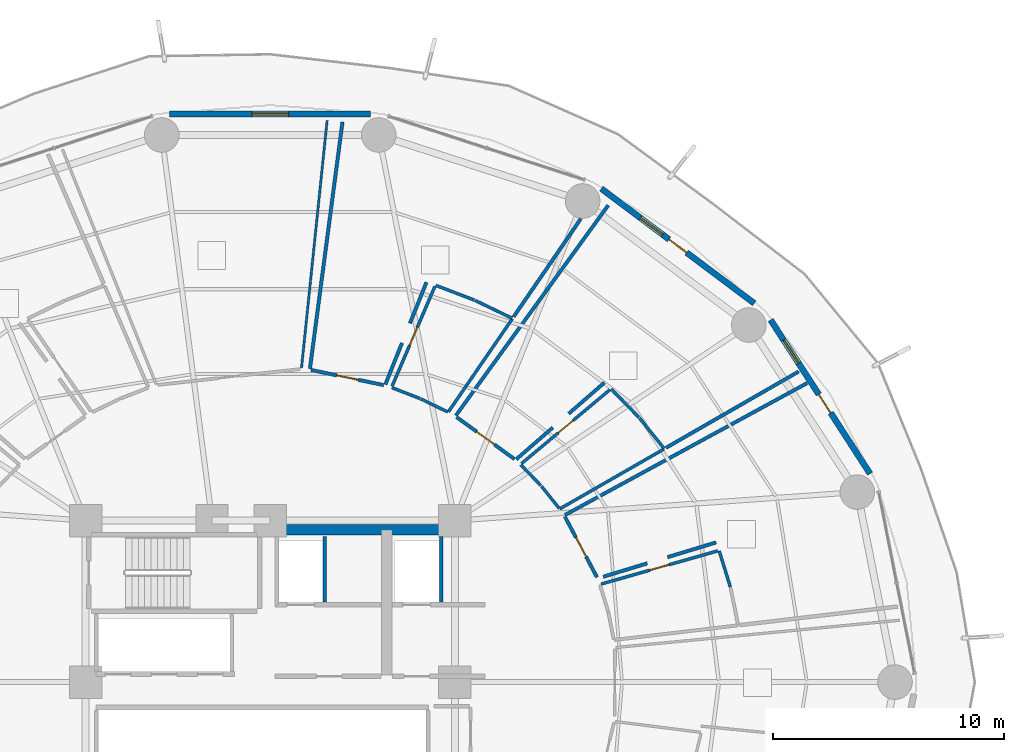
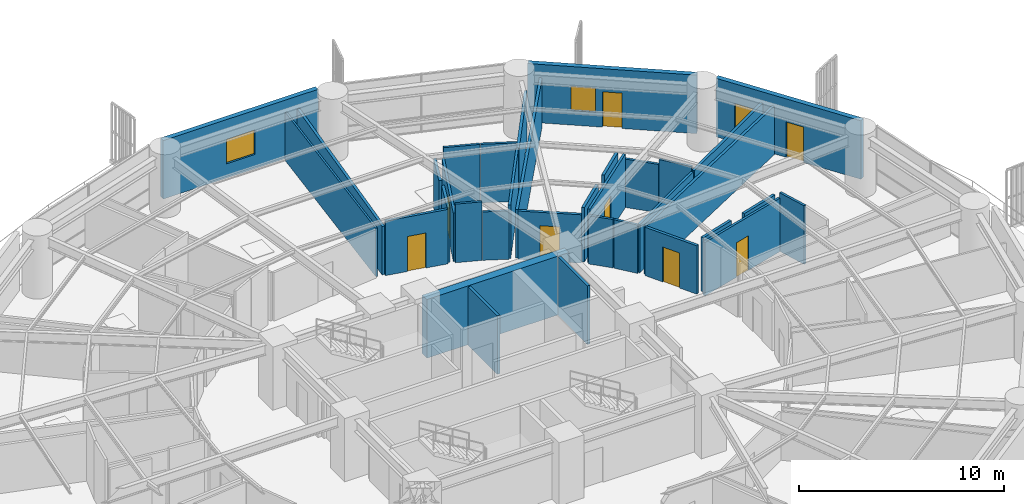
# One storey, part 26 of 32: 35 walls, 8 doors, 3 windows, 11 openings.
"""IFC4 building model written with IfcOpenShell, lengths in metres."""

from ifc_helpers import new_model, si_unit, direction, frame, frame_2d, origin, place, context, subcontext, project, spatial, rectangle, extrude, material, layer, layer_set, type_object, element, fill, save


model = new_model("IFC4")

# Units and contexts
model_context = context("Model", 3, precision=1e-05, world=origin(), true_north=direction((0.0, 1.0)))
body_context = subcontext(model_context, "Body", "Model", "MODEL_VIEW")
ifc_project = project(units=[si_unit("LENGTHUNIT", "METRE"), si_unit("AREAUNIT", "SQUARE_METRE"), si_unit("VOLUMEUNIT", "CUBIC_METRE"), si_unit("PLANEANGLEUNIT", "RADIAN"), si_unit("MASSUNIT", "GRAM", prefix="KILO")], contexts=[model_context])

# Site, building, storey
site_placement = place(None, origin())
site = spatial("IfcSite", under=ifc_project, at=site_placement, CompositionType="ELEMENT")
building_placement = place(site_placement, origin())
building = spatial("IfcBuilding", under=site, at=building_placement, Name="Kelanora Arch Commons", CompositionType="ELEMENT")
storey_placement = place(building_placement, frame((0.0, 0.0, 52.5)))
storey = spatial("IfcBuildingStorey", under=building, at=storey_placement, Name="L13", CompositionType="ELEMENT", Elevation=52.5)

# Walls
ifc_material_1 = material(Name="Autoclaved aerated concrete blockwork with fire plaster", Category="masonry")
ifc_layer_1 = layer(ifc_material_1, 0.14990234375)
ifc_layer_set_1 = layer_set([ifc_layer_1], Name="Autoclaved aerated concrete blockwork with fire plaster")
wall_type_1 = type_object("IfcWallType", Name="W-COMP-150", PredefinedType="PARTITIONING", material=ifc_layer_set_1)
for number, where, z_axis, x_axis, name in (
    (1, (76.360107421875, 61.47998046875, 0.0), (0.0, 0.0, 1.0), (0.0, 1.0, 0.0), "Firefighting Lift 1 East Shaft Wall L13"),
    (2, (81.419921875, 61.47998046875, 0.0), (0.0, 0.0, 1.0), (0.0, 1.0, 0.0), "Firefighting Lift 2 East Shaft Wall L13"),
):
    element("IfcWall", number, at=place(storey_placement, frame(where, z_axis=z_axis, x_axis=x_axis)), inside=storey, type_object=wall_type_1, Name=name, PredefinedType="PARTITIONING", context=body_context, shape_type="SweptSolid", body=[
        extrude(rectangle(XDim=2.840087890625, YDim=0.14990234375, at=frame_2d((1.419921875, 0.0))), origin(), (0.0, 0.0, 1.0), 3.47998046875),
    ])

# Wall, opening, door
wall_1_placement = place(storey_placement, frame((88.161865234375, 62.5458984375, 0.0), z_axis=(0.0, 0.0, 1.0), x_axis=(-0.467566881753, 0.883957697567, 0.0)))
wall_1 = element("IfcWall", 3, at=wall_1_placement, inside=storey, type_object=wall_type_1, Name="Co-Living Studio L13-01 Entry Partition", PredefinedType="PARTITIONING", context=body_context, shape_type="SweptSolid", body=[
    extrude(rectangle(XDim=2.97216796875, YDim=0.14990234375, at=frame_2d((1.486083984375, 0.0))), origin(), (0.0, 0.0, 1.0), 2.875),
])
opening_1_placement = place(wall_1_placement, frame((1.010986328125, 0.0, 0.0)))
opening_1 = element("IfcOpeningElement", 4, at=opening_1_placement, cuts=wall_1, Name="Opening D-CLU1", PredefinedType="OPENING", context=body_context, shape_type="SweptSolid", body=[
    extrude(rectangle(XDim=0.949951171875, YDim=2.080078125, at=frame_2d((0.47509765625, 1.0400390625))), frame((0.0, 0.0849609375, 0.0), z_axis=(0.0, -1.0, 0.0), x_axis=(1.0, 0.0, 0.0)), (0.0, 0.0, 1.0), 0.169921875),
])
ifc_material_2 = material(Name="Solid-core acoustic timber cluster entry fire door", Category="wood")
door_type_1 = type_object("IfcDoorType", Name="D-CLU-95", OperationType="NOTDEFINED", PredefinedType="DOOR", material=ifc_material_2)
door_1_placement = place(opening_1_placement, origin())
door_1 = element("IfcDoor", 5, at=door_1_placement, inside=storey, type_object=door_type_1, Name="Co-Living Studio L13-01 Door", OperationType="SINGLE_SWING_LEFT", OverallHeight=2.080078125, OverallWidth=0.949951171875, PredefinedType="DOOR", context=body_context, shape_type="SweptSolid", body=[
    extrude(rectangle(XDim=0.949951171875, YDim=2.080078125, at=frame_2d((0.47509765625, 1.0400390625))), frame((0.0, 0.02490234375, 0.0), z_axis=(0.0, -1.0, 0.0), x_axis=(1.0, 0.0, 0.0)), (0.0, 0.0, 1.0), 0.050048828125),
])
fill(opening_1, door_1)

wall_2_placement = place(storey_placement, frame((84.58642578125, 67.667236328125, 0.0), z_axis=(0.0, 0.0, 1.0), x_axis=(-0.80951419377, 0.587100306664, 0.0)))
wall_2 = element("IfcWall", 6, at=wall_2_placement, inside=storey, type_object=wall_type_1, Name="Co-Living Studio L13-02 Entry Partition", PredefinedType="PARTITIONING", context=body_context, shape_type="SweptSolid", body=[
    extrude(rectangle(XDim=3.104248046875, YDim=0.14990234375, at=frame_2d((1.55224609375, 0.0))), origin(), (0.0, 0.0, 1.0), 2.875),
])
opening_2_placement = place(wall_2_placement, frame((1.076904296875, 0.0, 0.0)))
opening_2 = element("IfcOpeningElement", 7, at=opening_2_placement, cuts=wall_2, Name="Opening D-CLU1", PredefinedType="OPENING", context=body_context, shape_type="SweptSolid", body=[
    extrude(rectangle(XDim=0.949951171875, YDim=2.080078125, at=frame_2d((0.47509765625, 1.0400390625))), frame((0.0, 0.0849609375, 0.0), z_axis=(0.0, -1.0, 0.0), x_axis=(1.0, 0.0, 0.0)), (0.0, 0.0, 1.0), 0.169921875),
])
door_2_placement = place(opening_2_placement, origin())
door_2 = element("IfcDoor", 8, at=door_2_placement, inside=storey, type_object=door_type_1, Name="Co-Living Studio L13-02 Door", OperationType="SINGLE_SWING_LEFT", OverallHeight=2.080078125, OverallWidth=0.949951171875, PredefinedType="DOOR", context=body_context, shape_type="SweptSolid", body=[
    extrude(rectangle(XDim=0.949951171875, YDim=2.080078125, at=frame_2d((0.47509765625, 1.0400390625))), frame((0.0, 0.02490234375, 0.0), z_axis=(0.0, -1.0, 0.0), x_axis=(1.0, 0.0, 0.0)), (0.0, 0.0, 1.0), 0.050048828125),
])
fill(opening_2, door_2)

wall_3_placement = place(storey_placement, frame((78.914306640625, 70.874267578125, 0.0), z_axis=(0.0, 0.0, 1.0), x_axis=(-0.978952544969, 0.204088007237, 0.0)))
wall_3 = element("IfcWall", 9, at=wall_3_placement, inside=storey, type_object=wall_type_1, Name="Co-Living Studio L13-03 Entry Partition", PredefinedType="PARTITIONING", context=body_context, shape_type="SweptSolid", body=[
    extrude(rectangle(XDim=3.20703125, YDim=0.14990234375, at=frame_2d((1.603515625, 0.0))), origin(), (0.0, 0.0, 1.0), 3.235107421875),
])
opening_3_placement = place(wall_3_placement, frame((1.12890625, 0.0, 0.0)))
opening_3 = element("IfcOpeningElement", 10, at=opening_3_placement, cuts=wall_3, Name="Opening D-CLU1", PredefinedType="OPENING", context=body_context, shape_type="SweptSolid", body=[
    extrude(rectangle(XDim=0.949951171875, YDim=2.080078125, at=frame_2d((0.47509765625, 1.0400390625))), frame((0.0, 0.0849609375, 0.0), z_axis=(0.0, -1.0, 0.0), x_axis=(1.0, 0.0, 0.0)), (0.0, 0.0, 1.0), 0.169921875),
])
door_3_placement = place(opening_3_placement, origin())
door_3 = element("IfcDoor", 11, at=door_3_placement, inside=storey, type_object=door_type_1, Name="Co-Living Studio L13-03 Door", OperationType="SINGLE_SWING_LEFT", OverallHeight=2.080078125, OverallWidth=0.949951171875, PredefinedType="DOOR", context=body_context, shape_type="SweptSolid", body=[
    extrude(rectangle(XDim=0.949951171875, YDim=2.080078125, at=frame_2d((0.47509765625, 1.0400390625))), frame((0.0, 0.02490234375, 0.0), z_axis=(0.0, -1.0, 0.0), x_axis=(1.0, 0.0, 0.0)), (0.0, 0.0, 1.0), 0.050048828125),
])
fill(opening_3, door_3)

# Walls
wall_4_placement = place(storey_placement, frame((86.779052734375, 65.2451171875, 0.0), z_axis=(0.0, 0.0, 1.0), x_axis=(0.878114235828, 0.478451030761, 0.0)))
element("IfcWall", 12, at=wall_4_placement, inside=storey, type_object=wall_type_1, Name="Co-Living Studio L13-01 Enclosure Partition 2", PredefinedType="PARTITIONING", context=body_context, shape_type="SweptSolid", body=[
    extrude(rectangle(XDim=11.9423828125, YDim=0.14990234375, at=frame_2d((5.97119140625, 0.0))), origin(), (0.0, 0.0, 1.0), 2.875),
])
wall_5_placement = place(storey_placement, frame((93.32373046875, 64.055419921875, 0.0), z_axis=(0.0, 0.0, 1.0), x_axis=(-0.956656385618, -0.291219092533, 0.0)))
element("IfcWall", 13, at=wall_5_placement, inside=storey, type_object=wall_type_1, Name="Co-Living Studio L13-01 Enclosure Partition 7", PredefinedType="PARTITIONING", context=body_context, shape_type="SweptSolid", body=[
    extrude(rectangle(XDim=2.197265625, YDim=0.14990234375, at=frame_2d((1.0986328125, 0.0))), origin(), (0.0, 0.0, 1.0), 3.175048828125),
])
wall_6_placement = place(storey_placement, frame((90.34130859375, 63.147705078125, 0.0), z_axis=(0.0, 0.0, 1.0), x_axis=(-0.956672396934, -0.291166490078, 0.0)))
element("IfcWall", 14, at=wall_6_placement, inside=storey, type_object=wall_type_1, Name="Co-Living Studio L13-01 Enclosure Partition 7", PredefinedType="PARTITIONING", context=body_context, shape_type="SweptSolid", body=[
    extrude(rectangle(XDim=1.9931640625, YDim=0.14990234375, at=frame_2d((0.99658203125, 0.0))), origin(), (0.0, 0.0, 1.0), 3.235107421875),
])
wall_7_placement = place(storey_placement, frame((82.048583984375, 69.557373046875, 0.0), z_axis=(0.0, 0.0, 1.0), x_axis=(0.586718941426, 0.809790641939, 0.0)))
element("IfcWall", 15, at=wall_7_placement, inside=storey, type_object=wall_type_1, Name="Co-Living Studio L13-02 Enclosure Partition 2", PredefinedType="PARTITIONING", context=body_context, shape_type="SweptSolid", body=[
    extrude(rectangle(XDim=11.248779296875, YDim=0.14990234375, at=frame_2d((5.62451171875, 0.0))), origin(), (0.0, 0.0, 1.0), 2.875),
])
wall_8_placement = place(storey_placement, frame((96.9033203125, 71.461181640625, 0.0), z_axis=(0.0, 0.0, 1.0), x_axis=(-0.866924194656, -0.498440007142, 0.0)))
element("IfcWall", 16, at=wall_8_placement, inside=storey, type_object=wall_type_1, Name="Co-Living Studio L13-02 Enclosure Partition 5", PredefinedType="PARTITIONING", context=body_context, shape_type="SweptSolid", body=[
    extrude(rectangle(XDim=6.633544921875, YDim=0.14990234375, at=frame_2d((3.31689453125, 0.0))), origin(), (0.0, 0.0, 1.0), 2.875),
])
wall_9_placement = place(storey_placement, frame((88.480712890625, 70.978759765625, 0.0), z_axis=(0.0, 0.0, 1.0), x_axis=(-0.754356172394, -0.656465357176, 0.0)))
element("IfcWall", 17, at=wall_9_placement, inside=storey, type_object=wall_type_1, Name="Co-Living Studio L13-02 Enclosure Partition 7", PredefinedType="PARTITIONING", context=body_context, shape_type="SweptSolid", body=[
    extrude(rectangle(XDim=2.045166015625, YDim=0.14990234375, at=frame_2d((1.0224609375, 0.0))), origin(), (0.0, 0.0, 1.0), 3.175048828125),
])
wall_10_placement = place(storey_placement, frame((86.243896484375, 69.031982421875, 0.0), z_axis=(0.0, 0.0, 1.0), x_axis=(-0.754351792987, -0.656470389597, 0.0)))
element("IfcWall", 18, at=wall_10_placement, inside=storey, type_object=wall_type_1, Name="Co-Living Studio L13-02 Enclosure Partition 7", PredefinedType="PARTITIONING", context=body_context, shape_type="SweptSolid", body=[
    extrude(rectangle(XDim=2.0927734375, YDim=0.14990234375, at=frame_2d((1.04638671875, 0.0))), origin(), (0.0, 0.0, 1.0), 3.235107421875),
])
wall_11_placement = place(storey_placement, frame((75.72119140625, 71.580810546875, 0.0), z_axis=(0.0, 0.0, 1.0), x_axis=(0.130800348515, 0.991408729449, 0.0)))
element("IfcWall", 19, at=wall_11_placement, inside=storey, type_object=wall_type_1, Name="Co-Living Studio L13-03 Enclosure Partition 2", PredefinedType="PARTITIONING", context=body_context, shape_type="SweptSolid", body=[
    extrude(rectangle(XDim=10.792236328125, YDim=0.14990234375, at=frame_2d((5.39599609375, 0.0))), origin(), (0.0, 0.0, 1.0), 2.875),
])
wall_12_placement = place(storey_placement, frame((87.462646484375, 78.082763671875, 0.0), z_axis=(0.0, 0.0, 1.0), x_axis=(-0.565642433627, -0.824650615279, 0.0)))
element("IfcWall", 20, at=wall_12_placement, inside=storey, type_object=wall_type_1, Name="Co-Living Studio L13-03 Enclosure Partition 5", PredefinedType="PARTITIONING", context=body_context, shape_type="SweptSolid", body=[
    extrude(rectangle(XDim=5.156982421875, YDim=0.14990234375, at=frame_2d((2.57861328125, 0.0))), origin(), (0.0, 0.0, 1.0), 2.875),
])
wall_13_placement = place(storey_placement, frame((80.77099609375, 75.329833984375, 0.0), z_axis=(0.0, 0.0, 1.0), x_axis=(-0.373257508911, -0.927727779061, 0.0)))
element("IfcWall", 21, at=wall_13_placement, inside=storey, type_object=wall_type_1, Name="Co-Living Studio L13-03 Enclosure Partition 7", PredefinedType="PARTITIONING", context=body_context, shape_type="SweptSolid", body=[
    extrude(rectangle(XDim=1.915771484375, YDim=0.14990234375, at=frame_2d((0.9580078125, 0.0))), origin(), (0.0, 0.0, 1.0), 2.875),
])
wall_14_placement = place(storey_placement, frame((79.712158203125, 72.69873046875, 0.0), z_axis=(0.0, 0.0, 1.0), x_axis=(-0.373407797427, -0.927667298562, 0.0)))
element("IfcWall", 22, at=wall_14_placement, inside=storey, type_object=wall_type_1, Name="Co-Living Studio L13-03 Enclosure Partition 7", PredefinedType="PARTITIONING", context=body_context, shape_type="SweptSolid", body=[
    extrude(rectangle(XDim=1.93994140625, YDim=0.14990234375, at=frame_2d((0.969970703125, 0.0))), origin(), (0.0, 0.0, 1.0), 3.235107421875),
])
ifc_material_3 = material(Name="Concrete C60/75", Category="concrete")
ifc_layer_2 = layer(ifc_material_3, 0.449951171875)
ifc_layer_set_2 = layer_set([ifc_layer_2], Name="Concrete C60/75")
wall_type_2 = type_object("IfcWallType", Name="W-CORE-450", PredefinedType="SHEAR", material=ifc_layer_set_2)
wall_15_placement = place(storey_placement, frame((74.0, 64.60009765625, 0.0), z_axis=(0.0, 0.0, 1.0), x_axis=(1.0, 0.0, 0.0)))
element("IfcWall", 23, at=wall_15_placement, inside=storey, type_object=wall_type_2, Name="Core Shear Spine L13-CN-E", PredefinedType="SHEAR", context=body_context, shape_type="SweptSolid", body=[
    extrude(rectangle(XDim=8.0, YDim=0.449951171875, at=frame_2d((4.0, 0.0))), origin(), (0.0, 0.0, 1.0), 3.489990234375),
])

# Wall, openings, door, window
ifc_material_4 = material(Name="Precast concrete C40/50 with terracotta rainscreen", Category="masonry")
ifc_layer_3 = layer(ifc_material_4, 0.260009765625)
ifc_layer_set_3 = layer_set([ifc_layer_3], Name="Precast concrete C40/50 with terracotta rainscreen")
wall_type_3 = type_object("IfcWallType", Name="W-EXT-TC", PredefinedType="SOLIDWALL", material=ifc_layer_set_3)
wall_16_placement = place(storey_placement, frame((99.999267578125, 67.033203125, 0.0), z_axis=(0.0, 0.0, 1.0), x_axis=(-0.543005114258, 0.839729388488, 0.0)))
wall_16 = element("IfcWall", 24, at=wall_16_placement, inside=storey, type_object=wall_type_3, Name="Terracotta Exterior Wall L13-B01", PredefinedType="SOLIDWALL", context=body_context, shape_type="SweptSolid", body=[
    extrude(rectangle(XDim=7.9375, YDim=0.260009765625, at=frame_2d((3.96875, 0.0))), origin(), (0.0, 0.0, 1.0), 3.47509765625),
])
opening_4_placement = place(wall_16_placement, frame((3.14404296875, 0.0, 0.0)))
opening_4 = element("IfcOpeningElement", 25, at=opening_4_placement, cuts=wall_16, Name="Opening DB-01", PredefinedType="OPENING", context=body_context, shape_type="SweptSolid", body=[
    extrude(rectangle(XDim=0.949951171875, YDim=2.10009765625, at=frame_2d((0.47509765625, 1.050048828125))), frame((0.0, 0.14013671875, 0.0), z_axis=(0.0, -1.0, 0.0), x_axis=(1.0, 0.0, 0.0)), (0.0, 0.0, 1.0), 0.280029296875),
])
opening_5_placement = place(wall_16_placement, frame((5.7041015625, 0.0, 0.85009765625)))
opening_5 = element("IfcOpeningElement", 26, at=opening_5_placement, cuts=wall_16, Name="Opening WN-02", PredefinedType="OPENING", context=body_context, shape_type="SweptSolid", body=[
    extrude(rectangle(XDim=1.199951171875, YDim=1.449951171875, at=frame_2d((0.60009765625, 0.72509765625))), frame((0.0, 0.14013671875, 0.0), z_axis=(0.0, -1.0, 0.0), x_axis=(1.0, 0.0, 0.0)), (0.0, 0.0, 1.0), 0.280029296875),
])
ifc_material_5 = material(Name="Terracotta-aluminium thermally broken glazed balcony door", Category="masonry")
door_type_2 = type_object("IfcDoorType", Name="D-BAL-10", OperationType="NOTDEFINED", PredefinedType="DOOR", material=ifc_material_5)
door_4_placement = place(opening_4_placement, frame((0.949951171875, 0.0, 0.0), z_axis=(0.0, 0.0, 1.0), x_axis=(-1.0, 0.0, 0.0)))
door_4 = element("IfcDoor", 27, at=door_4_placement, inside=storey, type_object=door_type_2, Name="Wave Balcony Door L13-B01", OperationType="SINGLE_SWING_LEFT", OverallHeight=2.10009765625, OverallWidth=0.949951171875, PredefinedType="DOOR", context=body_context, shape_type="SweptSolid", body=[
    extrude(rectangle(XDim=0.949951171875, YDim=2.10009765625, at=frame_2d((0.47509765625, 1.050048828125))), frame((0.0, 0.02490234375, 0.0), z_axis=(0.0, -1.0, 0.0), x_axis=(1.0, 0.0, 0.0)), (0.0, 0.0, 1.0), 0.050048828125),
])
fill(opening_4, door_4)
ifc_material_6 = material(Name="Terracotta-anodised aluminium frame with operable awning sash", Category="masonry")
window_type_1 = type_object("IfcWindowType", Name="WIN-CL-12", PartitioningType="SINGLE_PANEL", PredefinedType="WINDOW", material=ifc_material_6)
window_1_placement = place(opening_5_placement, origin())
window_1 = element("IfcWindow", 28, at=window_1_placement, inside=storey, type_object=window_type_1, Name="Co-Living Operable Window L13-B01", OverallHeight=1.449951171875, OverallWidth=1.199951171875, PartitioningType="SINGLE_PANEL", PredefinedType="WINDOW", context=body_context, shape_type="SweptSolid", body=[
    extrude(rectangle(XDim=1.199951171875, YDim=1.449951171875, at=frame_2d((0.60009765625, 0.72509765625))), frame((0.0, 0.030029296875, 0.0), z_axis=(0.0, -1.0, 0.0), x_axis=(1.0, 0.0, 0.0)), (0.0, 0.0, 1.0), 0.06005859375),
])
fill(opening_5, window_1)

wall_17_placement = place(storey_placement, frame((94.98388671875, 74.418212890625, 0.0), z_axis=(0.0, 0.0, 1.0), x_axis=(-0.80030733173, 0.599590005569, 0.0)))
wall_17 = element("IfcWall", 29, at=wall_17_placement, inside=storey, type_object=wall_type_3, Name="Terracotta Exterior Wall L13-B02", PredefinedType="SOLIDWALL", context=body_context, shape_type="SweptSolid", body=[
    extrude(rectangle(XDim=8.29052734375, YDim=0.260009765625, at=frame_2d((4.145263671875, 0.0))), origin(), (0.0, 0.0, 1.0), 3.47509765625),
])
opening_6_placement = place(wall_17_placement, frame((3.669921875, 0.0, 0.0)))
opening_6 = element("IfcOpeningElement", 30, at=opening_6_placement, cuts=wall_17, Name="Opening DB-01", PredefinedType="OPENING", context=body_context, shape_type="SweptSolid", body=[
    extrude(rectangle(XDim=0.949951171875, YDim=2.10009765625, at=frame_2d((0.47509765625, 1.050048828125))), frame((0.0, 0.14013671875, 0.0), z_axis=(0.0, -1.0, 0.0), x_axis=(1.0, 0.0, 0.0)), (0.0, 0.0, 1.0), 0.280029296875),
])
opening_7_placement = place(wall_17_placement, frame((4.969970703125, 0.0, 0.85009765625)))
opening_7 = element("IfcOpeningElement", 31, at=opening_7_placement, cuts=wall_17, Name="Opening WN-02", PredefinedType="OPENING", context=body_context, shape_type="SweptSolid", body=[
    extrude(rectangle(XDim=1.199951171875, YDim=1.449951171875, at=frame_2d((0.60009765625, 0.72509765625))), frame((0.0, 0.14013671875, 0.0), z_axis=(0.0, -1.0, 0.0), x_axis=(1.0, 0.0, 0.0)), (0.0, 0.0, 1.0), 0.280029296875),
])
door_5_placement = place(opening_6_placement, frame((0.949951171875, 0.0, 0.0), z_axis=(0.0, 0.0, 1.0), x_axis=(-1.0, 0.0, 0.0)))
door_5 = element("IfcDoor", 32, at=door_5_placement, inside=storey, type_object=door_type_2, Name="Wave Balcony Door L13-B02", OperationType="SINGLE_SWING_RIGHT", OverallHeight=2.10009765625, OverallWidth=0.949951171875, PredefinedType="DOOR", context=body_context, shape_type="SweptSolid", body=[
    extrude(rectangle(XDim=0.949951171875, YDim=2.10009765625, at=frame_2d((0.47509765625, 1.050048828125))), frame((0.0, 0.02490234375, 0.0), z_axis=(0.0, -1.0, 0.0), x_axis=(1.0, 0.0, 0.0)), (0.0, 0.0, 1.0), 0.050048828125),
])
fill(opening_6, door_5)
window_2_placement = place(opening_7_placement, origin())
window_2 = element("IfcWindow", 33, at=window_2_placement, inside=storey, type_object=window_type_1, Name="Co-Living Operable Window L13-B02", OverallHeight=1.449951171875, OverallWidth=1.199951171875, PartitioningType="SINGLE_PANEL", PredefinedType="WINDOW", context=body_context, shape_type="SweptSolid", body=[
    extrude(rectangle(XDim=1.199951171875, YDim=1.449951171875, at=frame_2d((0.60009765625, 0.72509765625))), frame((0.0, 0.030029296875, 0.0), z_axis=(0.0, -1.0, 0.0), x_axis=(1.0, 0.0, 0.0)), (0.0, 0.0, 1.0), 0.06005859375),
])
fill(opening_7, window_2)

# Wall, opening, window
wall_18_placement = place(storey_placement, frame((78.35595703125, 82.6201171875, 0.0), z_axis=(0.0, 0.0, 1.0), x_axis=(-1.0, 0.0, 0.0)))
wall_18 = element("IfcWall", 34, at=wall_18_placement, inside=storey, type_object=wall_type_3, Name="Terracotta Exterior Wall L13-B04", PredefinedType="SOLIDWALL", context=body_context, shape_type="SweptSolid", body=[
    extrude(rectangle(XDim=8.7119140625, YDim=0.260009765625, at=frame_2d((4.35595703125, 0.0))), origin(), (0.0, 0.0, 1.0), 3.47509765625),
])
opening_8_placement = place(wall_18_placement, frame((3.555908203125, 0.0, 0.85009765625)))
opening_8 = element("IfcOpeningElement", 35, at=opening_8_placement, cuts=wall_18, Name="Opening WN-01", PredefinedType="OPENING", context=body_context, shape_type="SweptSolid", body=[
    extrude(rectangle(XDim=1.60009765625, YDim=1.449951171875, at=frame_2d((0.800048828125, 0.72509765625))), frame((0.0, 0.14013671875, 0.0), z_axis=(0.0, -1.0, 0.0), x_axis=(1.0, 0.0, 0.0)), (0.0, 0.0, 1.0), 0.280029296875),
])
ifc_material_7 = material(Name="Terracotta-anodised aluminium frame with operable low-E glazing", Category="masonry")
window_type_2 = type_object("IfcWindowType", Name="WIN-CL-18", PartitioningType="DOUBLE_PANEL_VERTICAL", PredefinedType="WINDOW", material=ifc_material_7)
window_3_placement = place(opening_8_placement, origin())
window_3 = element("IfcWindow", 36, at=window_3_placement, inside=storey, type_object=window_type_2, Name="Co-Living Operable Window L13-B04", OverallHeight=1.449951171875, OverallWidth=1.60009765625, PartitioningType="SINGLE_PANEL", PredefinedType="WINDOW", context=body_context, shape_type="SweptSolid", body=[
    extrude(rectangle(XDim=1.60009765625, YDim=1.449951171875, at=frame_2d((0.800048828125, 0.72509765625))), frame((0.0, 0.030029296875, 0.0), z_axis=(0.0, -1.0, 0.0), x_axis=(1.0, 0.0, 0.0)), (0.0, 0.0, 1.0), 0.06005859375),
])
fill(opening_8, window_3)

# Wall
ifc_material_8 = material(Name="Lightweight fire-rated acoustic stud partition")
ifc_layer_4 = layer(ifc_material_8, 0.10009765625)
ifc_layer_set_4 = layer_set([ifc_layer_4], Name="Lightweight fire-rated acoustic stud partition")
wall_type_4 = type_object("IfcWallType", Name="W-PART-100", PredefinedType="PARTITIONING", material=ifc_layer_set_4)
wall_19_placement = place(storey_placement, frame((76.4658203125, 82.34130859375, 0.0), z_axis=(0.0, 0.0, 1.0), x_axis=(-0.103008831227, -0.994680441493, 0.0)))
element("IfcWall", 37, at=wall_19_placement, inside=storey, type_object=wall_type_4, Name="Communal Dining and Social Hall L13-04 Enclosure Partition 4", PredefinedType="PARTITIONING", context=body_context, shape_type="SweptSolid", body=[
    extrude(rectangle(XDim=10.783935546875, YDim=0.10009765625, at=frame_2d((5.39208984375, 0.0))), origin(), (0.0, 0.0, 1.0), 2.875),
])

# Wall, opening, door
ifc_material_9 = material(Name="Moisture-resistant fire-rated cement-board plumbing wall")
ifc_layer_5 = layer(ifc_material_9, 0.1298828125)
ifc_layer_set_5 = layer_set([ifc_layer_5], Name="Moisture-resistant fire-rated cement-board plumbing wall")
wall_type_5 = type_object("IfcWallType", Name="W-WET-120", PredefinedType="PLUMBINGWALL", material=ifc_layer_set_5)
wall_20_placement = place(storey_placement, frame((88.34375, 62.25048828125, 0.0), z_axis=(0.0, 0.0, 1.0), x_axis=(0.961805744602, 0.273732916636, 0.0)))
wall_20 = element("IfcWall", 38, at=wall_20_placement, inside=storey, type_object=wall_type_5, Name="En-Suite Shower WC L13-01 Entry Partition", PredefinedType="PLUMBINGWALL", context=body_context, shape_type="SweptSolid", body=[
    extrude(rectangle(XDim=5.254150390625, YDim=0.1298828125, at=frame_2d((2.626953125, 0.0))), origin(), (0.0, 0.0, 1.0), 3.175048828125),
])
opening_9_placement = place(wall_20_placement, frame((2.197021484375, 0.0, 0.0)))
opening_9 = element("IfcOpeningElement", 39, at=opening_9_placement, cuts=wall_20, Name="Opening D-BT1", PredefinedType="OPENING", context=body_context, shape_type="SweptSolid", body=[
    extrude(rectangle(XDim=0.860107421875, YDim=2.050048828125, at=frame_2d((0.43017578125, 1.02490234375))), frame((0.0, 0.074951171875, 0.0), z_axis=(0.0, -1.0, 0.0), x_axis=(1.0, 0.0, 0.0)), (0.0, 0.0, 1.0), 0.14990234375),
])
ifc_material_10 = material(Name="Moisture-sealed fire-rated accessible bathroom door")
door_type_3 = type_object("IfcDoorType", Name="D-BATH-85", OperationType="NOTDEFINED", PredefinedType="DOOR", material=ifc_material_10)
door_6_placement = place(opening_9_placement, origin())
door_6 = element("IfcDoor", 40, at=door_6_placement, inside=storey, type_object=door_type_3, Name="En-Suite Shower WC L13-01 Door", OperationType="SINGLE_SWING_RIGHT", OverallHeight=2.050048828125, OverallWidth=0.860107421875, PredefinedType="DOOR", context=body_context, shape_type="SweptSolid", body=[
    extrude(rectangle(XDim=0.860107421875, YDim=2.050048828125, at=frame_2d((0.43017578125, 1.02490234375))), frame((0.0, 0.02490234375, 0.0), z_axis=(0.0, -1.0, 0.0), x_axis=(1.0, 0.0, 0.0)), (0.0, 0.0, 1.0), 0.050048828125),
])
fill(opening_9, door_6)

wall_21_placement = place(storey_placement, frame((84.89208984375, 67.474609375, 0.0), z_axis=(0.0, 0.0, 1.0), x_axis=(0.767551433238, 0.64098736129, 0.0)))
wall_21 = element("IfcWall", 41, at=wall_21_placement, inside=storey, type_object=wall_type_5, Name="En-Suite Shower WC L13-02 Entry Partition", PredefinedType="PLUMBINGWALL", context=body_context, shape_type="SweptSolid", body=[
    extrude(rectangle(XDim=4.9921875, YDim=0.1298828125, at=frame_2d((2.49609375, 0.0))), origin(), (0.0, 0.0, 1.0), 3.175048828125),
])
opening_10_placement = place(wall_21_placement, frame((2.06591796875, 0.0, 0.0)))
opening_10 = element("IfcOpeningElement", 42, at=opening_10_placement, cuts=wall_21, Name="Opening D-BT1", PredefinedType="OPENING", context=body_context, shape_type="SweptSolid", body=[
    extrude(rectangle(XDim=0.860107421875, YDim=2.050048828125, at=frame_2d((0.43017578125, 1.02490234375))), frame((0.0, 0.074951171875, 0.0), z_axis=(0.0, -1.0, 0.0), x_axis=(1.0, 0.0, 0.0)), (0.0, 0.0, 1.0), 0.14990234375),
])
door_7_placement = place(opening_10_placement, origin())
door_7 = element("IfcDoor", 43, at=door_7_placement, inside=storey, type_object=door_type_3, Name="En-Suite Shower WC L13-02 Door", OperationType="SINGLE_SWING_RIGHT", OverallHeight=2.050048828125, OverallWidth=0.860107421875, PredefinedType="DOOR", context=body_context, shape_type="SweptSolid", body=[
    extrude(rectangle(XDim=0.860107421875, YDim=2.050048828125, at=frame_2d((0.43017578125, 1.02490234375))), frame((0.0, 0.02490234375, 0.0), z_axis=(0.0, -1.0, 0.0), x_axis=(1.0, 0.0, 0.0)), (0.0, 0.0, 1.0), 0.050048828125),
])
fill(opening_10, door_7)

wall_22_placement = place(storey_placement, frame((79.280517578125, 70.82421875, 0.0), z_axis=(0.0, 0.0, 1.0), x_axis=(0.394194788946, 0.919026913843, 0.0)))
wall_22 = element("IfcWall", 44, at=wall_22_placement, inside=storey, type_object=wall_type_5, Name="En-Suite Shower WC L13-03 Entry Partition", PredefinedType="PLUMBINGWALL", context=body_context, shape_type="SweptSolid", body=[
    extrude(rectangle(XDim=4.705810546875, YDim=0.1298828125, at=frame_2d((2.35302734375, 0.0))), origin(), (0.0, 0.0, 1.0), 2.875),
])
opening_11_placement = place(wall_22_placement, frame((1.923095703125, 0.0, 0.0)))
opening_11 = element("IfcOpeningElement", 45, at=opening_11_placement, cuts=wall_22, Name="Opening D-BT1", PredefinedType="OPENING", context=body_context, shape_type="SweptSolid", body=[
    extrude(rectangle(XDim=0.860107421875, YDim=2.050048828125, at=frame_2d((0.43017578125, 1.02490234375))), frame((0.0, 0.074951171875, 0.0), z_axis=(0.0, -1.0, 0.0), x_axis=(1.0, 0.0, 0.0)), (0.0, 0.0, 1.0), 0.14990234375),
])
door_8_placement = place(opening_11_placement, origin())
door_8 = element("IfcDoor", 46, at=door_8_placement, inside=storey, type_object=door_type_3, Name="En-Suite Shower WC L13-03 Door", OperationType="SINGLE_SWING_RIGHT", OverallHeight=2.050048828125, OverallWidth=0.860107421875, PredefinedType="DOOR", context=body_context, shape_type="SweptSolid", body=[
    extrude(rectangle(XDim=0.860107421875, YDim=2.050048828125, at=frame_2d((0.43017578125, 1.02490234375))), frame((0.0, 0.02490234375, 0.0), z_axis=(0.0, -1.0, 0.0), x_axis=(1.0, 0.0, 0.0)), (0.0, 0.0, 1.0), 0.050048828125),
])
fill(opening_11, door_8)

# Walls
wall_23_placement = place(storey_placement, frame((93.4609375, 63.685791015625, 0.0), z_axis=(0.0, 0.0, 1.0), x_axis=(0.295079059694, -0.955472840289, 0.0)))
element("IfcWall", 47, at=wall_23_placement, inside=storey, type_object=wall_type_5, Name="En-Suite Shower WC L13-01 Enclosure Partition 4", PredefinedType="PLUMBINGWALL", context=body_context, shape_type="SweptSolid", body=[
    extrude(rectangle(XDim=1.640625, YDim=0.1298828125, at=frame_2d((0.8203125, 0.0))), origin(), (0.0, 0.0, 1.0), 3.47998046875),
])
wall_24_placement = place(storey_placement, frame((86.533447265625, 65.521484375, 0.0), z_axis=(0.0, 0.0, 1.0), x_axis=(-0.625509784914, 0.780216321912, 0.0)))
element("IfcWall", 48, at=wall_24_placement, inside=storey, type_object=wall_type_5, Name="En-Suite Shower WC L13-02 Enclosure Partition 1", PredefinedType="PLUMBINGWALL", context=body_context, shape_type="SweptSolid", body=[
    extrude(rectangle(XDim=1.241943359375, YDim=0.1298828125, at=frame_2d((0.62109375, 0.0))), origin(), (0.0, 0.0, 1.0), 2.875),
])
wall_25_placement = place(storey_placement, frame((85.72998046875, 66.5205078125, 0.0), z_axis=(0.0, 0.0, 1.0), x_axis=(-0.694622338853, 0.719374593913, 0.0)))
element("IfcWall", 49, at=wall_25_placement, inside=storey, type_object=wall_type_5, Name="En-Suite Shower WC L13-02 Enclosure Partition 2", PredefinedType="PLUMBINGWALL", context=body_context, shape_type="SweptSolid", body=[
    extrude(rectangle(XDim=1.252685546875, YDim=0.1298828125, at=frame_2d((0.62646484375, 0.0))), origin(), (0.0, 0.0, 1.0), 2.875),
])
wall_26_placement = place(storey_placement, frame((88.783935546875, 70.69873046875, 0.0), z_axis=(0.0, 0.0, 1.0), x_axis=(0.698493231478, -0.715616661055, 0.0)))
element("IfcWall", 50, at=wall_26_placement, inside=storey, type_object=wall_type_5, Name="En-Suite Shower WC L13-02 Enclosure Partition 4", PredefinedType="PLUMBINGWALL", context=body_context, shape_type="SweptSolid", body=[
    extrude(rectangle(XDim=1.7109375, YDim=0.1298828125, at=frame_2d((0.85546875, 0.0))), origin(), (0.0, 0.0, 1.0), 2.875),
])
wall_27_placement = place(storey_placement, frame((90.005615234375, 69.444580078125, 0.0), z_axis=(0.0, 0.0, 1.0), x_axis=(0.629707963092, -0.776831951723, 0.0)))
element("IfcWall", 51, at=wall_27_placement, inside=storey, type_object=wall_type_5, Name="En-Suite Shower WC L13-02 Enclosure Partition 5", PredefinedType="PLUMBINGWALL", context=body_context, shape_type="SweptSolid", body=[
    extrude(rectangle(XDim=1.6943359375, YDim=0.1298828125, at=frame_2d((0.84716796875, 0.0))), origin(), (0.0, 0.0, 1.0), 3.175048828125),
])
wall_28_placement = place(storey_placement, frame((91.067626953125, 68.10302734375, 0.0), z_axis=(0.0, 0.0, 1.0), x_axis=(-0.867165143158, -0.498020696851, 0.0)))
element("IfcWall", 52, at=wall_28_placement, inside=storey, type_object=wall_type_5, Name="En-Suite Shower WC L13-02 Enclosure Partition 6", PredefinedType="PLUMBINGWALL", context=body_context, shape_type="SweptSolid", body=[
    extrude(rectangle(XDim=5.1943359375, YDim=0.1298828125, at=frame_2d((2.59716796875, 0.0))), origin(), (0.0, 0.0, 1.0), 2.875),
])
wall_29_placement = place(storey_placement, frame((81.694091796875, 69.707763671875, 0.0), z_axis=(0.0, 0.0, 1.0), x_axis=(-0.898753964496, 0.43845331713, 0.0)))
element("IfcWall", 53, at=wall_29_placement, inside=storey, type_object=wall_type_5, Name="En-Suite Shower WC L13-03 Enclosure Partition 1", PredefinedType="PLUMBINGWALL", context=body_context, shape_type="SweptSolid", body=[
    extrude(rectangle(XDim=1.29638671875, YDim=0.1298828125, at=frame_2d((0.648193359375, 0.0))), origin(), (0.0, 0.0, 1.0), 2.875),
])
wall_30_placement = place(storey_placement, frame((80.4921875, 70.292236328125, 0.0), z_axis=(0.0, 0.0, 1.0), x_axis=(-0.932939679843, 0.360032712089, 0.0)))
element("IfcWall", 54, at=wall_30_placement, inside=storey, type_object=wall_type_5, Name="En-Suite Shower WC L13-03 Enclosure Partition 2", PredefinedType="PLUMBINGWALL", context=body_context, shape_type="SweptSolid", body=[
    extrude(rectangle(XDim=1.303955078125, YDim=0.1298828125, at=frame_2d((0.65185546875, 0.0))), origin(), (0.0, 0.0, 1.0), 3.47998046875),
])
wall_31_placement = place(storey_placement, frame((81.177734375, 75.197021484375, 0.0), z_axis=(0.0, 0.0, 1.0), x_axis=(0.934026387995, -0.357204012477, 0.0)))
element("IfcWall", 55, at=wall_31_placement, inside=storey, type_object=wall_type_5, Name="En-Suite Shower WC L13-03 Enclosure Partition 4", PredefinedType="PLUMBINGWALL", context=body_context, shape_type="SweptSolid", body=[
    extrude(rectangle(XDim=1.78857421875, YDim=0.1298828125, at=frame_2d((0.894287109375, 0.0))), origin(), (0.0, 0.0, 1.0), 3.47998046875),
])
wall_32_placement = place(storey_placement, frame((82.885009765625, 74.542236328125, 0.0), z_axis=(0.0, 0.0, 1.0), x_axis=(0.900637023717, -0.434572147648, 0.0)))
element("IfcWall", 56, at=wall_32_placement, inside=storey, type_object=wall_type_5, Name="En-Suite Shower WC L13-03 Enclosure Partition 5", PredefinedType="PLUMBINGWALL", context=body_context, shape_type="SweptSolid", body=[
    extrude(rectangle(XDim=1.775390625, YDim=0.1298828125, at=frame_2d((0.8876953125, 0.0))), origin(), (0.0, 0.0, 1.0), 3.47998046875),
])
wall_33_placement = place(storey_placement, frame((84.49072265625, 73.74560546875, 0.0), z_axis=(0.0, 0.0, 1.0), x_axis=(-0.566068810651, -0.824357993597, 0.0)))
element("IfcWall", 57, at=wall_33_placement, inside=storey, type_object=wall_type_5, Name="En-Suite Shower WC L13-03 Enclosure Partition 6", PredefinedType="PLUMBINGWALL", context=body_context, shape_type="SweptSolid", body=[
    extrude(rectangle(XDim=4.888671875, YDim=0.1298828125, at=frame_2d((2.4443359375, 0.0))), origin(), (0.0, 0.0, 1.0), 3.175048828125),
])

save(model, "model.ifc")
